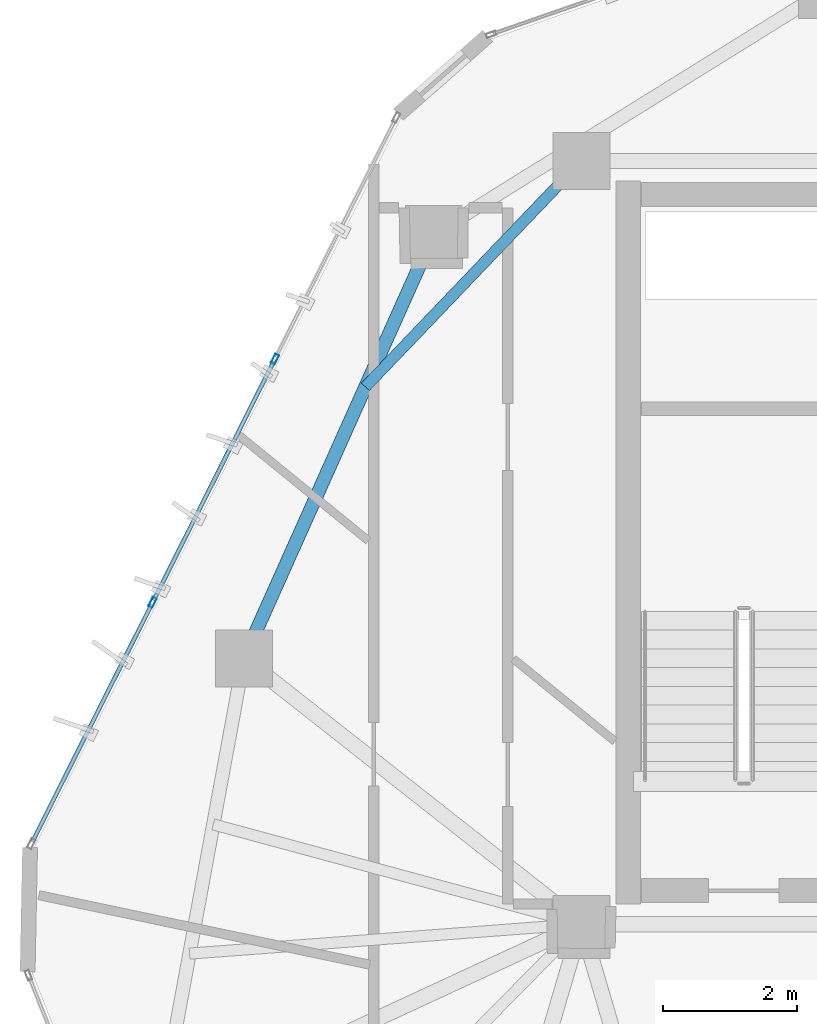
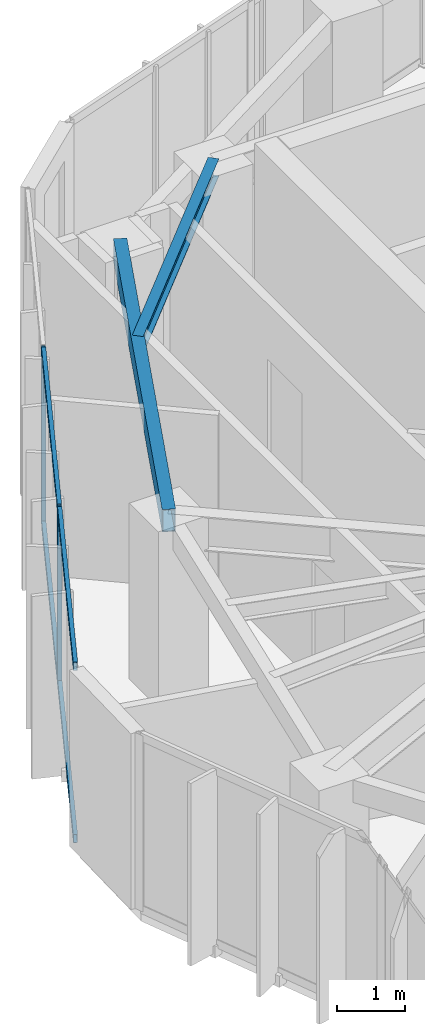
# One storey, part 8 of 20: 6 members, 2 beams, 1 element without a shape of its own.
"""IFC4 building model written with IfcOpenShell, lengths in metres."""

from ifc_helpers import new_model, si_unit, direction, frame, origin, origin_2d, place, context, subcontext, project, spatial, hollow_rectangle, i_section, extrude, source, transform, mapped, material, layer, layer_set, material_profile, profile_set, type_object, type_shapes, element, aggregate, save


model = new_model("IFC4")

# Units and contexts
model_context = context("Model", 3, precision=1e-05, world=origin(), true_north=direction((0.0, 1.0)))
body_context = subcontext(model_context, "Body", "Model", "MODEL_VIEW")
ifc_project = project(units=[si_unit("LENGTHUNIT", "METRE"), si_unit("AREAUNIT", "SQUARE_METRE"), si_unit("VOLUMEUNIT", "CUBIC_METRE"), si_unit("PLANEANGLEUNIT", "RADIAN"), si_unit("MASSUNIT", "GRAM", prefix="KILO")], contexts=[model_context])

# Site, building, storey
site_placement = place(None, origin())
site = spatial("IfcSite", under=ifc_project, at=site_placement, CompositionType="ELEMENT")
building_placement = place(site_placement, origin())
building = spatial("IfcBuilding", under=site, at=building_placement, Name="Talar Marvaseh", CompositionType="ELEMENT")
storey_placement = place(building_placement, frame((0.0, 0.0, 285.0)))
storey = spatial("IfcBuildingStorey", under=building, at=storey_placement, Name="L76", CompositionType="ELEMENT", Elevation=285.0)

# Beams
ifc_material_1 = material(Name="Steel S355", Category="steel")
ifc_material_profile_1 = material_profile(ifc_material_1, hollow_rectangle(XDim=0.199951171875, YDim=0.39990234375, WallThickness=0.013916015625, at=origin_2d()), Name="RHS400x200x14")
ifc_profile_set_1 = profile_set([ifc_material_profile_1], Name="Steel S355")
beam_type_1 = type_object("IfcBeamType", Name="Zone 3 Perimeter Spandrel Beam RHS400x200x14", PredefinedType="SPANDREL", material=ifc_profile_set_1)
beam_1_placement = place(storey_placement, frame((13.657958984375, 29.469970703125, 2.93994140625), z_axis=(0.408486346803, 0.912764429892, 0.0), x_axis=(-0.912764429892, 0.408486346803, 0.0)))
element("IfcBeam", 1, at=beam_1_placement, inside=storey, type_object=beam_type_1, Name="L76 Zone 3 Perimeter Spandrel Beam RHS400x200x14", PredefinedType="SPANDREL", context=body_context, shape_type="SweptSolid", body=[
    extrude(hollow_rectangle(XDim=0.199951171875, YDim=0.39990234375, WallThickness=0.013916015625, at=origin_2d()), origin(), (0.0, 0.0, 1.0), 6.942626953125),
])
ifc_material_profile_2 = material_profile(ifc_material_1, i_section(OverallWidth=0.166015625, OverallDepth=0.31298828125, WebThickness=0.006591796875, FlangeThickness=0.01123046875, at=origin_2d()), Name="W310x45")
ifc_profile_set_2 = profile_set([ifc_material_profile_2], Name="Steel S355")
beam_type_2 = type_object("IfcBeamType", Name="Zone 3 Secondary Floor Joist W310x45", PredefinedType="JOIST", material=ifc_profile_set_2)
beam_2_placement = place(storey_placement, frame((15.472900390625, 33.525634765625, 2.9833984375), z_axis=(0.691165656787, 0.722696364235, 0.0), x_axis=(-0.722696364235, 0.691165656787, 0.0)))
element("IfcBeam", 2, at=beam_2_placement, inside=storey, type_object=beam_type_2, Name="L76 Zone 3 Secondary Floor Joist W310x45", PredefinedType="JOIST", context=body_context, shape_type="SweptSolid", body=[
    extrude(i_section(OverallWidth=0.166015625, OverallDepth=0.31298828125, WebThickness=0.006591796875, FlangeThickness=0.01123046875, at=origin_2d()), origin(), (0.0, 0.0, 1.0), 4.6689453125),
])

# Curtain wall, members
ifc_material_2 = material(Name="Architectural Aluminium", Category="aluminium")
ifc_layer = layer(ifc_material_2, 0.179931640625)
ifc_layer_set = layer_set([ifc_layer], Name="Architectural Aluminium")
curtain_wall_type = type_object("IfcCurtainWallType", Name="Unitised High-Wind Sky Curtain Wall Z4", PredefinedType="NOTDEFINED", material=ifc_layer_set)
curtain_wall_placement = place(storey_placement, origin())
curtain_wall = element("IfcCurtainWall", 3, at=curtain_wall_placement, inside=storey, type_object=curtain_wall_type, Name="L76 Unitised High-Wind Sky Curtain Wall Z4", PredefinedType="NOTDEFINED")
ifc_material_profile_3 = material_profile(ifc_material_2, hollow_rectangle(XDim=0.06494140625, YDim=0.14990234375, WallThickness=0.00390625, at=origin_2d()), Name="RHS150x65x4")
ifc_profile_set_3 = profile_set([ifc_material_profile_3], Name="Architectural Aluminium")
member_type_1 = type_object("IfcMemberType", Name="Unitised Curtain Wall Slim Mullion RHS150x65x4", PredefinedType="MULLION", material=ifc_profile_set_3)
shared_shape_1 = source(origin(), body_context, "Body", "SweptSolid", [
    extrude(hollow_rectangle(XDim=0.06494140625, YDim=0.14990234375, WallThickness=0.00390625, at=origin_2d()), origin(), (0.0, 0.0, 1.0), 3.139892578125),
])
type_shapes(member_type_1, [shared_shape_1])
member_1_placement = place(storey_placement, frame((12.29541015625, 30.30517578125, 0.0), z_axis=(0.0, 0.0, 1.0), x_axis=(-0.893514304781, 0.449034728226, 0.0)))
member_1 = element("IfcMember", 4, at=member_1_placement, type_object=member_type_1, Name="CW-Z4 mullion 2", PredefinedType="MULLION", context=body_context, shape_type="MappedRepresentation", body=[
    mapped(shared_shape_1, transform((0.0, 0.0, 0.0), x_axis=(1.0, 0.0, 0.0), y_axis=(0.0, 1.0, 0.0), z_axis=(0.0, 0.0, 1.0), scale=1.0)),
])
member_2_placement = place(storey_placement, frame((14.122314453125, 33.940673828125, 0.0), z_axis=(0.0, 0.0, 1.0), x_axis=(-0.893514304781, 0.449034728226, 0.0)))
member_2 = element("IfcMember", 5, at=member_2_placement, type_object=member_type_1, Name="CW-Z4 mullion 3", PredefinedType="MULLION", context=body_context, shape_type="MappedRepresentation", body=[
    mapped(shared_shape_1, transform((0.0, 0.0, 0.0), x_axis=(1.0, 0.0, 0.0), y_axis=(0.0, 1.0, 0.0), z_axis=(0.0, 0.0, 1.0), scale=1.0)),
])
ifc_material_profile_4 = material_profile(ifc_material_2, hollow_rectangle(XDim=0.06494140625, YDim=0.14990234375, WallThickness=0.00390625, at=origin_2d()), Name="RHS150x65x4")
ifc_profile_set_4 = profile_set([ifc_material_profile_4], Name="Architectural Aluminium")
member_type_2 = type_object("IfcMemberType", Name="Unitised Curtain Wall Slim Transom RHS150x65x4", PredefinedType="USERDEFINED", material=ifc_profile_set_4)
shared_shape_2 = source(origin(), body_context, "Body", "SweptSolid", [
    extrude(hollow_rectangle(XDim=0.06494140625, YDim=0.14990234375, WallThickness=0.00390625, at=origin_2d()), origin(), (0.0, 0.0, 1.0), 3.97119140625),
])
member_3_placement = place(storey_placement, frame((10.497802734375, 26.727783203125, 0.032470703125), z_axis=(0.44898332305, 0.893540136548, 0.0), x_axis=(-0.893540136548, 0.44898332305, 0.0)))
member_3 = element("IfcMember", 6, at=member_3_placement, type_object=member_type_2, Name="CW-Z4 transom 1.1", ObjectType="TRANSOM", PredefinedType="USERDEFINED", context=body_context, shape_type="MappedRepresentation", body=[
    mapped(shared_shape_2, transform((0.0, 0.0, 0.0), x_axis=(1.0, 0.0, 0.0), y_axis=(0.0, 1.0, 0.0), z_axis=(0.0, 0.0, 1.0), scale=1.0)),
])
member_4_placement = place(storey_placement, frame((10.497802734375, 26.727783203125, 3.107421875), z_axis=(0.44898332305, 0.893540136548, 0.0), x_axis=(-0.893540136548, 0.44898332305, 0.0)))
member_4 = element("IfcMember", 7, at=member_4_placement, type_object=member_type_2, Name="CW-Z4 transom 1.2", ObjectType="TRANSOM", PredefinedType="USERDEFINED", context=body_context, shape_type="MappedRepresentation", body=[
    mapped(shared_shape_2, transform((0.0, 0.0, 0.0), x_axis=(1.0, 0.0, 0.0), y_axis=(0.0, 1.0, 0.0), z_axis=(0.0, 0.0, 1.0), scale=1.0)),
])
shared_shape_3 = source(origin(), body_context, "Body", "SweptSolid", [
    extrude(hollow_rectangle(XDim=0.06494140625, YDim=0.14990234375, WallThickness=0.00390625, at=origin_2d()), origin(), (0.0, 0.0, 1.0), 4.003662109375),
])
type_shapes(member_type_2, [shared_shape_2, shared_shape_3])
member_5_placement = place(storey_placement, frame((12.31005859375, 30.334228515625, 0.032470703125), z_axis=(0.449042000161, 0.893510650239, 0.0), x_axis=(-0.893510650239, 0.449042000161, 0.0)))
member_5 = element("IfcMember", 8, at=member_5_placement, type_object=member_type_2, Name="CW-Z4 transom 2.1", ObjectType="TRANSOM", PredefinedType="USERDEFINED", context=body_context, shape_type="MappedRepresentation", body=[
    mapped(shared_shape_3, transform((0.0, 0.0, 0.0), x_axis=(1.0, 0.0, 0.0), y_axis=(0.0, 1.0, 0.0), z_axis=(0.0, 0.0, 1.0), scale=1.0)),
])
member_6_placement = place(storey_placement, frame((12.31005859375, 30.334228515625, 3.107421875), z_axis=(0.449042000161, 0.893510650239, 0.0), x_axis=(-0.893510650239, 0.449042000161, 0.0)))
member_6 = element("IfcMember", 9, at=member_6_placement, type_object=member_type_2, Name="CW-Z4 transom 2.2", ObjectType="TRANSOM", PredefinedType="USERDEFINED", context=body_context, shape_type="MappedRepresentation", body=[
    mapped(shared_shape_3, transform((0.0, 0.0, 0.0), x_axis=(1.0, 0.0, 0.0), y_axis=(0.0, 1.0, 0.0), z_axis=(0.0, 0.0, 1.0), scale=1.0)),
])
aggregate(curtain_wall, [member_1, member_2, member_3, member_4, member_5, member_6])

save(model, "model.ifc")
